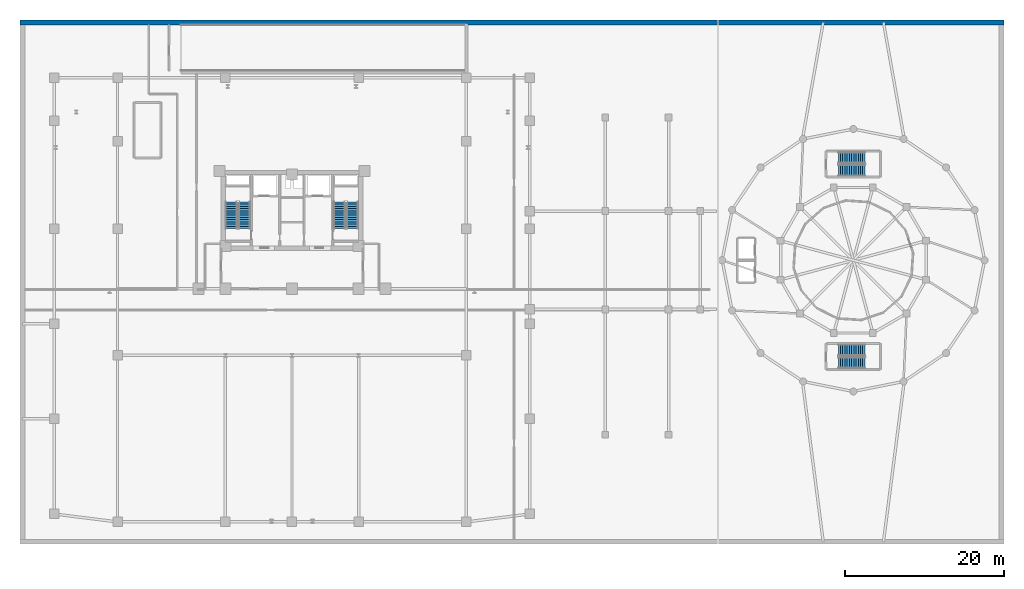
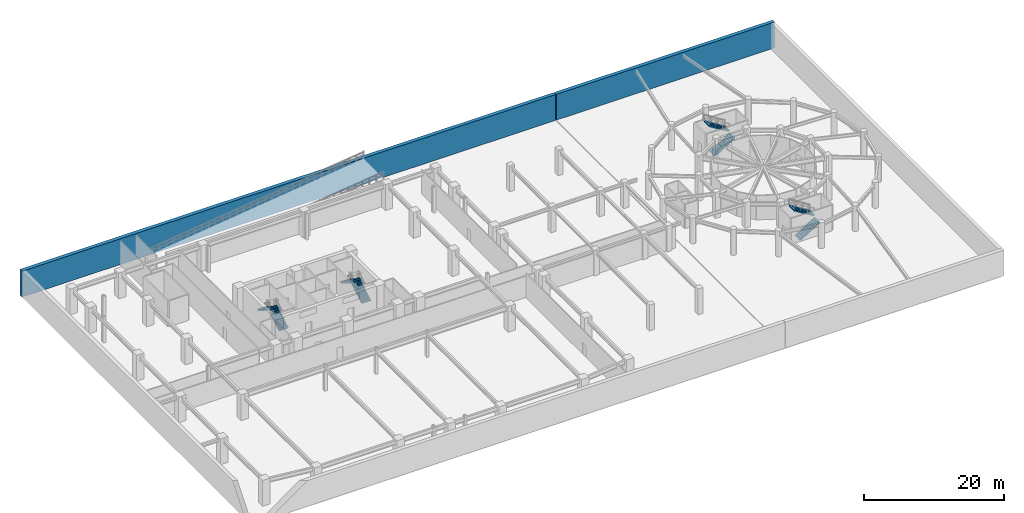
# One storey, part 12 of 15: 8 stair flights, 2 walls, 4 elements without a shape of their own.
"""IFC4 building model written with IfcOpenShell, lengths in metres."""

from ifc_helpers import new_model, si_unit, derived_unit, direction, frame, frame_2d, origin, place, context, subcontext, project, spatial, polyline, rectangle, outline, extrude, material, layer, layer_set, type_object, element, aggregate, save


model = new_model("IFC4")

# Units and contexts
model_context = context("Model", 3, precision=1e-05, world=origin(), true_north=direction((0.0, 1.0)))
body_context = subcontext(model_context, "Body", "Model", "MODEL_VIEW")
ifc_project = project(units=[si_unit("LENGTHUNIT", "METRE"), si_unit("AREAUNIT", "SQUARE_METRE"), si_unit("VOLUMEUNIT", "CUBIC_METRE"), si_unit("PLANEANGLEUNIT", "RADIAN"), si_unit("MASSUNIT", "GRAM", prefix="KILO"), derived_unit("THERMALTRANSMITTANCEUNIT", [(si_unit("POWERUNIT", "WATT"), 1), (si_unit("LENGTHUNIT", "METRE"), -2), (si_unit("THERMODYNAMICTEMPERATUREUNIT", "KELVIN"), -1)])], contexts=[model_context])

# Site, building, storey
site_placement = place(None, origin())
site = spatial("IfcSite", under=ifc_project, at=site_placement, CompositionType="ELEMENT")
building_placement = place(site_placement, origin())
building = spatial("IfcBuilding", under=site, at=building_placement, Name="Korsvarv Bourse and Concert Hall", CompositionType="ELEMENT")
storey_placement = place(building_placement, frame((0.0, 0.0, -4.5)))
storey = spatial("IfcBuildingStorey", under=building, at=storey_placement, Name="B01", CompositionType="ELEMENT", Elevation=-4.5)

# Walls
ifc_material_1 = material(Name="Concrete C50/60", Category="concrete")
ifc_layer = layer(ifc_material_1, 0.60009765625)
ifc_layer_set = layer_set([ifc_layer], Name="Concrete C50/60")
wall_type = type_object("IfcWallType", Name="WL-RET-600", PredefinedType="SOLIDWALL", material=ifc_layer_set)
wall_1_placement = place(storey_placement, frame((1.699951171875, 66.0, 0.0), z_axis=(0.0, 0.0, 1.0), x_axis=(1.0, 0.0, 0.0)))
element("IfcWall", 1, at=wall_1_placement, inside=storey, type_object=wall_type, Name="B01 West-Block North Basement Retaining Wall", PredefinedType="SOLIDWALL", context=body_context, shape_type="SweptSolid", body=[
    extrude(rectangle(XDim=87.97998046875, YDim=0.60009765625, at=frame_2d((43.989990234375, 0.0))), origin(), (0.0, 0.0, 1.0), 4.5),
])
wall_2_placement = place(storey_placement, frame((89.800048828125, 66.0, 0.0), z_axis=(0.0, 0.0, 1.0), x_axis=(1.0, 0.0, 0.0)))
element("IfcWall", 2, at=wall_2_placement, inside=storey, type_object=wall_type, Name="B01 Concert-Block North Basement Retaining Wall", PredefinedType="SOLIDWALL", context=body_context, shape_type="SweptSolid", body=[
    extrude(rectangle(XDim=36.0, YDim=0.60009765625, at=frame_2d((18.0, 0.0))), origin(), (0.0, 0.0, 1.0), 4.5),
])

# Stair, stair flights
ifc_material_2 = material(Name="Precast concrete C45/55", Category="concrete")
stair_type_1 = type_object("IfcStairType", Name="STR-TYPE-01", PredefinedType="HALF_TURN_STAIR", material=ifc_material_2)
stair_1_placement = place(storey_placement, origin())
stair_1 = element("IfcStair", 3, at=stair_1_placement, inside=storey, type_object=stair_type_1, Name="B01 Tower West Exit Stair ST-T1", PredefinedType="HALF_TURN_STAIR")
stair_flight_type_1 = type_object("IfcStairFlightType", Name="FLT-TYPE-01", PredefinedType="STRAIGHT", material=ifc_material_2)
stair_flight_1_placement = place(storey_placement, frame((30.010009765625, 40.0, 0.0), z_axis=(0.0, 0.0, 1.0), x_axis=(0.0, 1.0, 0.0)))
stair_flight_1 = element("IfcStairFlight", 4, at=stair_flight_1_placement, type_object=stair_flight_type_1, Name="ST-T1 flight 1", NumberOfRisers=13, NumberOfTreads=12, PredefinedType="STRAIGHT", RiserHeight=0.173076923, TreadLength=0.28, context=body_context, shape_type="SweptSolid", body=[
    extrude(outline(polyline([(0.0, 0.0), (0.0, 0.173095703125), (0.280029296875, 0.173095703125), (0.280029296875, 0.34619140625), (0.56005859375, 0.34619140625), (0.56005859375, 0.519287109375), (0.840087890625, 0.519287109375), (0.840087890625, 0.6923828125), (1.1201171875, 0.6923828125), (1.1201171875, 0.865478515625), (1.39990234375, 0.865478515625), (1.39990234375, 1.03857421875), (1.679931640625, 1.03857421875), (1.679931640625, 1.21142578125), (1.9599609375, 1.21142578125), (1.9599609375, 1.384521484375), (2.239990234375, 1.384521484375), (2.239990234375, 1.5576171875), (2.52001953125, 1.5576171875), (2.52001953125, 1.730712890625), (2.800048828125, 1.730712890625), (2.800048828125, 1.90380859375), (3.080078125, 1.90380859375), (3.080078125, 2.076904296875), (3.360107421875, 2.076904296875), (3.360107421875, 2.25), (3.360107421875, 1.900634765625), (0.28515625, 0.0), (0.0, 0.0)])), frame((0.0, 0.75, 0.0), z_axis=(0.0, -1.0, 0.0), x_axis=(1.0, 0.0, 0.0)), (0.0, 0.0, 1.0), 1.5),
])
stair_flight_2_placement = place(storey_placement, frame((28.35009765625, 43.360107421875, 2.25), z_axis=(0.0, 0.0, 1.0), x_axis=(0.0, -1.0, 0.0)))
stair_flight_2 = element("IfcStairFlight", 5, at=stair_flight_2_placement, type_object=stair_flight_type_1, Name="ST-T1 flight 2", NumberOfRisers=13, NumberOfTreads=12, PredefinedType="STRAIGHT", RiserHeight=0.173076923, TreadLength=0.28, context=body_context, shape_type="SweptSolid", body=[
    extrude(outline(polyline([(0.0, 0.0), (0.0, 0.173095703125), (0.280029296875, 0.173095703125), (0.280029296875, 0.34619140625), (0.56005859375, 0.34619140625), (0.56005859375, 0.519287109375), (0.840087890625, 0.519287109375), (0.840087890625, 0.6923828125), (1.1201171875, 0.6923828125), (1.1201171875, 0.865478515625), (1.39990234375, 0.865478515625), (1.39990234375, 1.03857421875), (1.679931640625, 1.03857421875), (1.679931640625, 1.21142578125), (1.9599609375, 1.21142578125), (1.9599609375, 1.384521484375), (2.239990234375, 1.384521484375), (2.239990234375, 1.5576171875), (2.52001953125, 1.5576171875), (2.52001953125, 1.730712890625), (2.800048828125, 1.730712890625), (2.800048828125, 1.90380859375), (3.080078125, 1.90380859375), (3.080078125, 2.076904296875), (3.360107421875, 2.076904296875), (3.360107421875, 2.25), (3.360107421875, 1.900634765625), (0.28515625, 0.0), (0.0, 0.0)])), frame((0.0, 0.75, 0.0), z_axis=(0.0, -1.0, 0.0), x_axis=(1.0, 0.0, 0.0)), (0.0, 0.0, 1.0), 1.5),
])
aggregate(stair_1, [stair_flight_1, stair_flight_2])

stair_2_placement = place(storey_placement, origin())
stair_2 = element("IfcStair", 6, at=stair_2_placement, inside=storey, type_object=stair_type_1, Name="B01 Tower East Exit Stair ST-T2", PredefinedType="HALF_TURN_STAIR")
stair_flight_3_placement = place(storey_placement, frame((43.64990234375, 40.0, 0.0), z_axis=(0.0, 0.0, 1.0), x_axis=(0.0, 1.0, 0.0)))
stair_flight_3 = element("IfcStairFlight", 7, at=stair_flight_3_placement, type_object=stair_flight_type_1, Name="ST-T2 flight 1", NumberOfRisers=13, NumberOfTreads=12, PredefinedType="STRAIGHT", RiserHeight=0.173076923, TreadLength=0.28, context=body_context, shape_type="SweptSolid", body=[
    extrude(outline(polyline([(0.0, 0.0), (0.0, 0.173095703125), (0.280029296875, 0.173095703125), (0.280029296875, 0.34619140625), (0.56005859375, 0.34619140625), (0.56005859375, 0.519287109375), (0.840087890625, 0.519287109375), (0.840087890625, 0.6923828125), (1.1201171875, 0.6923828125), (1.1201171875, 0.865478515625), (1.39990234375, 0.865478515625), (1.39990234375, 1.03857421875), (1.679931640625, 1.03857421875), (1.679931640625, 1.21142578125), (1.9599609375, 1.21142578125), (1.9599609375, 1.384521484375), (2.239990234375, 1.384521484375), (2.239990234375, 1.5576171875), (2.52001953125, 1.5576171875), (2.52001953125, 1.730712890625), (2.800048828125, 1.730712890625), (2.800048828125, 1.90380859375), (3.080078125, 1.90380859375), (3.080078125, 2.076904296875), (3.360107421875, 2.076904296875), (3.360107421875, 2.25), (3.360107421875, 1.900634765625), (0.28515625, 0.0), (0.0, 0.0)])), frame((0.0, 0.75, 0.0), z_axis=(0.0, -1.0, 0.0), x_axis=(1.0, 0.0, 0.0)), (0.0, 0.0, 1.0), 1.5),
])
stair_flight_4_placement = place(storey_placement, frame((41.989990234375, 43.360107421875, 2.25), z_axis=(0.0, 0.0, 1.0), x_axis=(0.0, -1.0, 0.0)))
stair_flight_4 = element("IfcStairFlight", 8, at=stair_flight_4_placement, type_object=stair_flight_type_1, Name="ST-T2 flight 2", NumberOfRisers=13, NumberOfTreads=12, PredefinedType="STRAIGHT", RiserHeight=0.173076923, TreadLength=0.28, context=body_context, shape_type="SweptSolid", body=[
    extrude(outline(polyline([(0.0, 0.0), (0.0, 0.173095703125), (0.280029296875, 0.173095703125), (0.280029296875, 0.34619140625), (0.56005859375, 0.34619140625), (0.56005859375, 0.519287109375), (0.840087890625, 0.519287109375), (0.840087890625, 0.6923828125), (1.1201171875, 0.6923828125), (1.1201171875, 0.865478515625), (1.39990234375, 0.865478515625), (1.39990234375, 1.03857421875), (1.679931640625, 1.03857421875), (1.679931640625, 1.21142578125), (1.9599609375, 1.21142578125), (1.9599609375, 1.384521484375), (2.239990234375, 1.384521484375), (2.239990234375, 1.5576171875), (2.52001953125, 1.5576171875), (2.52001953125, 1.730712890625), (2.800048828125, 1.730712890625), (2.800048828125, 1.90380859375), (3.080078125, 1.90380859375), (3.080078125, 2.076904296875), (3.360107421875, 2.076904296875), (3.360107421875, 2.25), (3.360107421875, 1.900634765625), (0.28515625, 0.0), (0.0, 0.0)])), frame((0.0, 0.75, 0.0), z_axis=(0.0, -1.0, 0.0), x_axis=(1.0, 0.0, 0.0)), (0.0, 0.0, 1.0), 1.5),
])
aggregate(stair_2, [stair_flight_3, stair_flight_4])

stair_type_2 = type_object("IfcStairType", Name="STR-TYPE-06", PredefinedType="HALF_TURN_STAIR", material=ifc_material_2)
stair_3_placement = place(storey_placement, origin())
stair_3 = element("IfcStair", 9, at=stair_3_placement, inside=storey, type_object=stair_type_2, Name="B01 Concert Hall North Exit Stair ST-CH1", PredefinedType="HALF_TURN_STAIR")
stair_flight_type_2 = type_object("IfcStairFlightType", Name="FLT-TYPE-06", PredefinedType="STRAIGHT", material=ifc_material_2)
stair_flight_5_placement = place(storey_placement, frame((104.89990234375, 47.324951171875, 0.0), z_axis=(0.0, 0.0, 1.0), x_axis=(1.0, 0.0, 0.0)))
stair_flight_5 = element("IfcStairFlight", 10, at=stair_flight_5_placement, type_object=stair_flight_type_2, Name="ST-CH1 flight 1", NumberOfRisers=13, NumberOfTreads=12, PredefinedType="STRAIGHT", RiserHeight=0.173076923, TreadLength=0.28, context=body_context, shape_type="SweptSolid", body=[
    extrude(outline(polyline([(0.0, 0.0), (0.0, 0.173095703125), (0.280029296875, 0.173095703125), (0.280029296875, 0.34619140625), (0.56005859375, 0.34619140625), (0.56005859375, 0.519287109375), (0.840087890625, 0.519287109375), (0.840087890625, 0.6923828125), (1.1201171875, 0.6923828125), (1.1201171875, 0.865478515625), (1.39990234375, 0.865478515625), (1.39990234375, 1.03857421875), (1.679931640625, 1.03857421875), (1.679931640625, 1.21142578125), (1.9599609375, 1.21142578125), (1.9599609375, 1.384521484375), (2.239990234375, 1.384521484375), (2.239990234375, 1.5576171875), (2.52001953125, 1.5576171875), (2.52001953125, 1.730712890625), (2.800048828125, 1.730712890625), (2.800048828125, 1.90380859375), (3.080078125, 1.90380859375), (3.080078125, 2.076904296875), (3.360107421875, 2.076904296875), (3.360107421875, 2.25), (3.360107421875, 1.900634765625), (0.28515625, 0.0), (0.0, 0.0)])), frame((0.0, 0.72509765625, 0.0), z_axis=(0.0, -1.0, 0.0), x_axis=(1.0, 0.0, 0.0)), (0.0, 0.0, 1.0), 1.449951171875),
])
stair_flight_6_placement = place(storey_placement, frame((108.260009765625, 48.93505859375, 2.25), z_axis=(0.0, 0.0, 1.0), x_axis=(-1.0, 0.0, 0.0)))
stair_flight_6 = element("IfcStairFlight", 11, at=stair_flight_6_placement, type_object=stair_flight_type_2, Name="ST-CH1 flight 2", NumberOfRisers=13, NumberOfTreads=12, PredefinedType="STRAIGHT", RiserHeight=0.173076923, TreadLength=0.28, context=body_context, shape_type="SweptSolid", body=[
    extrude(outline(polyline([(0.0, 0.0), (0.0, 0.173095703125), (0.280029296875, 0.173095703125), (0.280029296875, 0.34619140625), (0.56005859375, 0.34619140625), (0.56005859375, 0.519287109375), (0.840087890625, 0.519287109375), (0.840087890625, 0.6923828125), (1.1201171875, 0.6923828125), (1.1201171875, 0.865478515625), (1.39990234375, 0.865478515625), (1.39990234375, 1.03857421875), (1.679931640625, 1.03857421875), (1.679931640625, 1.21142578125), (1.9599609375, 1.21142578125), (1.9599609375, 1.384521484375), (2.239990234375, 1.384521484375), (2.239990234375, 1.5576171875), (2.52001953125, 1.5576171875), (2.52001953125, 1.730712890625), (2.800048828125, 1.730712890625), (2.800048828125, 1.90380859375), (3.080078125, 1.90380859375), (3.080078125, 2.076904296875), (3.360107421875, 2.076904296875), (3.360107421875, 2.25), (3.360107421875, 1.900634765625), (0.28515625, 0.0), (0.0, 0.0)])), frame((0.0, 0.72509765625, 0.0), z_axis=(0.0, -1.0, 0.0), x_axis=(1.0, 0.0, 0.0)), (0.0, 0.0, 1.0), 1.449951171875),
])
aggregate(stair_3, [stair_flight_5, stair_flight_6])

stair_4_placement = place(storey_placement, origin())
stair_4 = element("IfcStair", 12, at=stair_4_placement, inside=storey, type_object=stair_type_2, Name="B01 Concert Hall South Exit Stair ST-CH2", PredefinedType="HALF_TURN_STAIR")
stair_flight_7_placement = place(storey_placement, frame((104.89990234375, 23.06494140625, 0.0), z_axis=(0.0, 0.0, 1.0), x_axis=(1.0, 0.0, 0.0)))
stair_flight_7 = element("IfcStairFlight", 13, at=stair_flight_7_placement, type_object=stair_flight_type_2, Name="ST-CH2 flight 1", NumberOfRisers=13, NumberOfTreads=12, PredefinedType="STRAIGHT", RiserHeight=0.173076923, TreadLength=0.28, context=body_context, shape_type="SweptSolid", body=[
    extrude(outline(polyline([(0.0, 0.0), (0.0, 0.173095703125), (0.280029296875, 0.173095703125), (0.280029296875, 0.34619140625), (0.56005859375, 0.34619140625), (0.56005859375, 0.519287109375), (0.840087890625, 0.519287109375), (0.840087890625, 0.6923828125), (1.1201171875, 0.6923828125), (1.1201171875, 0.865478515625), (1.39990234375, 0.865478515625), (1.39990234375, 1.03857421875), (1.679931640625, 1.03857421875), (1.679931640625, 1.21142578125), (1.9599609375, 1.21142578125), (1.9599609375, 1.384521484375), (2.239990234375, 1.384521484375), (2.239990234375, 1.5576171875), (2.52001953125, 1.5576171875), (2.52001953125, 1.730712890625), (2.800048828125, 1.730712890625), (2.800048828125, 1.90380859375), (3.080078125, 1.90380859375), (3.080078125, 2.076904296875), (3.360107421875, 2.076904296875), (3.360107421875, 2.25), (3.360107421875, 1.900634765625), (0.28515625, 0.0), (0.0, 0.0)])), frame((0.0, 0.72509765625, 0.0), z_axis=(0.0, -1.0, 0.0), x_axis=(1.0, 0.0, 0.0)), (0.0, 0.0, 1.0), 1.449951171875),
])
stair_flight_8_placement = place(storey_placement, frame((108.260009765625, 24.675048828125, 2.25), z_axis=(0.0, 0.0, 1.0), x_axis=(-1.0, 0.0, 0.0)))
stair_flight_8 = element("IfcStairFlight", 14, at=stair_flight_8_placement, type_object=stair_flight_type_2, Name="ST-CH2 flight 2", NumberOfRisers=13, NumberOfTreads=12, PredefinedType="STRAIGHT", RiserHeight=0.173076923, TreadLength=0.28, context=body_context, shape_type="SweptSolid", body=[
    extrude(outline(polyline([(0.0, 0.0), (0.0, 0.173095703125), (0.280029296875, 0.173095703125), (0.280029296875, 0.34619140625), (0.56005859375, 0.34619140625), (0.56005859375, 0.519287109375), (0.840087890625, 0.519287109375), (0.840087890625, 0.6923828125), (1.1201171875, 0.6923828125), (1.1201171875, 0.865478515625), (1.39990234375, 0.865478515625), (1.39990234375, 1.03857421875), (1.679931640625, 1.03857421875), (1.679931640625, 1.21142578125), (1.9599609375, 1.21142578125), (1.9599609375, 1.384521484375), (2.239990234375, 1.384521484375), (2.239990234375, 1.5576171875), (2.52001953125, 1.5576171875), (2.52001953125, 1.730712890625), (2.800048828125, 1.730712890625), (2.800048828125, 1.90380859375), (3.080078125, 1.90380859375), (3.080078125, 2.076904296875), (3.360107421875, 2.076904296875), (3.360107421875, 2.25), (3.360107421875, 1.900634765625), (0.28515625, 0.0), (0.0, 0.0)])), frame((0.0, 0.72509765625, 0.0), z_axis=(0.0, -1.0, 0.0), x_axis=(1.0, 0.0, 0.0)), (0.0, 0.0, 1.0), 1.449951171875),
])
aggregate(stair_4, [stair_flight_7, stair_flight_8])

save(model, "model.ifc")
